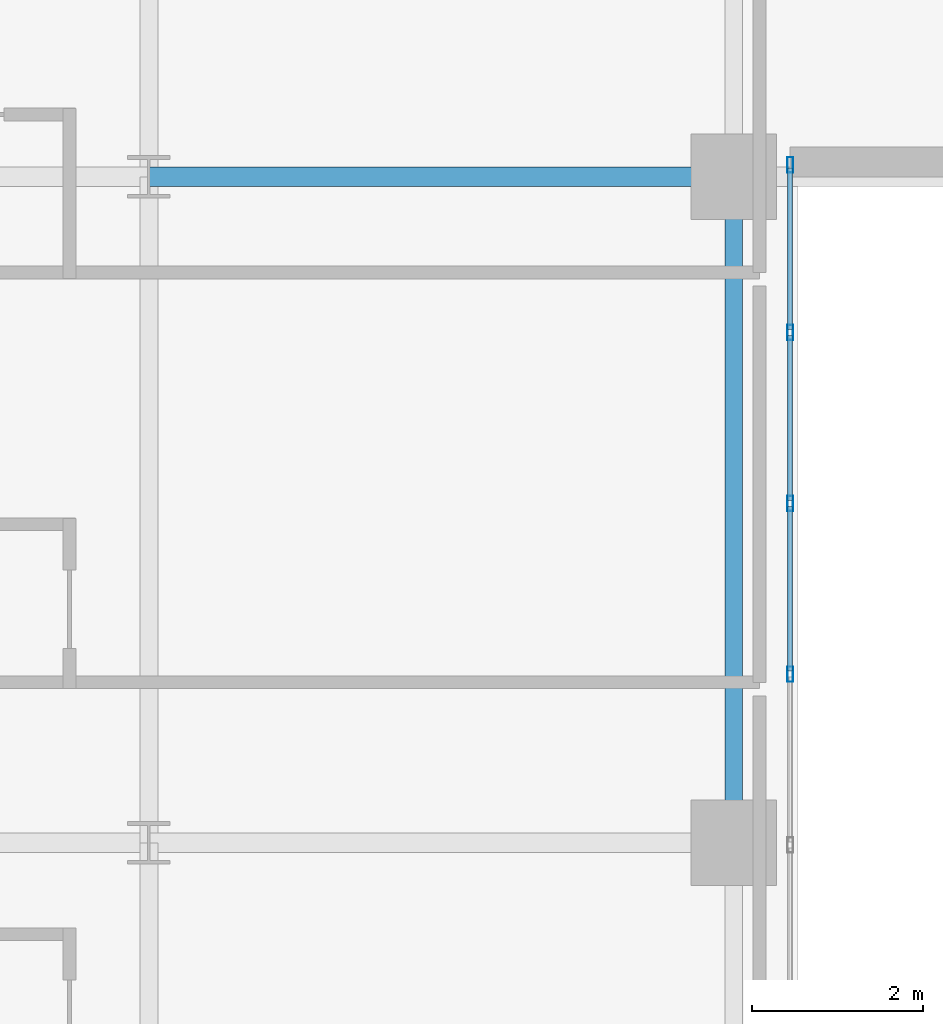
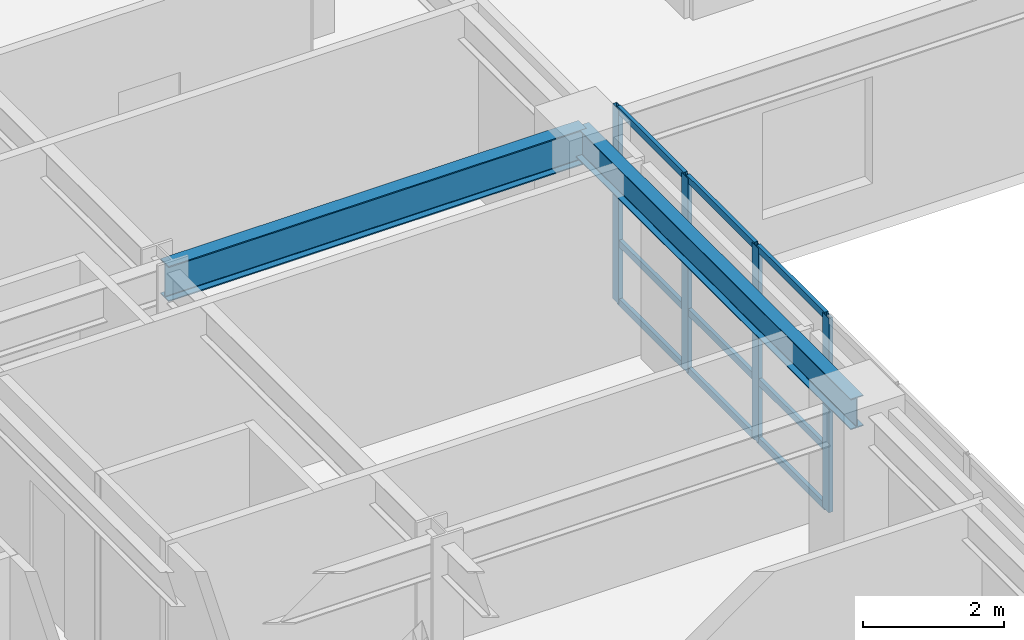
# One storey, part 3 of 17: 13 members, 2 beams, 1 element without a shape of its own.
"""IFC4 building model written with IfcOpenShell, lengths in metres."""

from ifc_helpers import new_model, si_unit, direction, frame, origin, origin_2d, place, context, subcontext, project, spatial, hollow_rectangle, i_section, extrude, source, transform, mapped, material, layer, layer_set, material_profile, profile_set, type_object, type_shapes, element, aggregate, save


model = new_model("IFC4")

# Units and contexts
model_context = context("Model", 3, precision=1e-05, world=origin(), true_north=direction((0.0, 1.0)))
body_context = subcontext(model_context, "Body", "Model", "MODEL_VIEW")
ifc_project = project(units=[si_unit("LENGTHUNIT", "METRE"), si_unit("AREAUNIT", "SQUARE_METRE"), si_unit("VOLUMEUNIT", "CUBIC_METRE"), si_unit("PLANEANGLEUNIT", "RADIAN"), si_unit("MASSUNIT", "GRAM", prefix="KILO")], contexts=[model_context])

# Site, building, storey
site_placement = place(None, origin())
site = spatial("IfcSite", under=ifc_project, at=site_placement, CompositionType="ELEMENT")
building_placement = place(site_placement, origin())
building = spatial("IfcBuilding", under=site, at=building_placement, Name="Tolvann Quenvar Hotel", CompositionType="ELEMENT")
storey_placement = place(building_placement, frame((0.0, 0.0, 49.75)))
storey = spatial("IfcBuildingStorey", under=building, at=storey_placement, Name="L11", CompositionType="ELEMENT", Elevation=49.75)

# Beams
ifc_material_1 = material(Name="Steel Grade 350", Category="steel")
ifc_material_profile_1 = material_profile(ifc_material_1, i_section(OverallWidth=0.22900390625, OverallDepth=0.612060546875, WebThickness=0.011962890625, FlangeThickness=0.01953125, FilletRadius=0.013916015625, at=origin_2d()), Name="610UB125")
ifc_profile_set_1 = profile_set([ifc_material_profile_1], Name="Steel Grade 350")
beam_type_1 = type_object("IfcBeamType", Name="BM_GIRD_610UB125", PredefinedType="BEAM", material=ifc_profile_set_1)
shared_shape_1 = source(origin(), body_context, "Body", "SweptSolid", [
    extrude(i_section(OverallWidth=0.22900390625, OverallDepth=0.612060546875, WebThickness=0.011962890625, FlangeThickness=0.01953125, FilletRadius=0.013916015625, at=origin_2d()), origin(), (0.0, 0.0, 1.0), 6.85009765625),
])
type_shapes(beam_type_1, [shared_shape_1])
beam_1_placement = place(storey_placement, frame((15.199951171875, 16.0, 3.06396484375), z_axis=(1.0, 0.0, 0.0), x_axis=(0.0, 1.0, 0.0)))
element("IfcBeam", 1, at=beam_1_placement, inside=storey, type_object=beam_type_1, Name="BM-L11-EW-4-D4-E4", PredefinedType="BEAM", context=body_context, shape_type="MappedRepresentation", body=[
    mapped(shared_shape_1, transform((0.0, 0.0, 0.0), x_axis=(1.0, 0.0, 0.0), y_axis=(0.0, 1.0, 0.0), z_axis=(0.0, 0.0, 1.0), scale=1.0)),
])
ifc_material_profile_2 = material_profile(ifc_material_1, i_section(OverallWidth=0.208984375, OverallDepth=0.532958984375, WebThickness=0.01025390625, FlangeThickness=0.015625, FilletRadius=0.013916015625, at=origin_2d()), Name="530UB92")
ifc_profile_set_2 = profile_set([ifc_material_profile_2], Name="Steel Grade 350")
beam_type_2 = type_object("IfcBeamType", Name="BM_GIRD_530UB92", PredefinedType="BEAM", material=ifc_profile_set_2)
shared_shape_2 = source(origin(), body_context, "Body", "SweptSolid", [
    extrude(i_section(OverallWidth=0.208984375, OverallDepth=0.532958984375, WebThickness=0.01025390625, FlangeThickness=0.015625, FilletRadius=0.013916015625, at=origin_2d()), origin(), (0.0, 0.0, 1.0), 7.800048828125),
])
type_shapes(beam_type_2, [shared_shape_2])
beam_2_placement = place(storey_placement, frame((22.050048828125, 8.199951171875, 3.103515625), z_axis=(0.0, 1.0, 0.0), x_axis=(-1.0, 0.0, 0.0)))
element("IfcBeam", 2, at=beam_2_placement, inside=storey, type_object=beam_type_2, Name="BM-L11-NS-E3-E4", PredefinedType="BEAM", context=body_context, shape_type="MappedRepresentation", body=[
    mapped(shared_shape_2, transform((0.0, 0.0, 0.0), x_axis=(1.0, 0.0, 0.0), y_axis=(0.0, 1.0, 0.0), z_axis=(0.0, 0.0, 1.0), scale=1.0)),
])

# Curtain wall, members
ifc_material_2 = material(Name="Thermally broken anodised architectural aluminium 6063-T6 and laminated low-E glass", Category="aluminium")
ifc_layer = layer(ifc_material_2, 0.179931640625)
ifc_layer_set = layer_set([ifc_layer], Name="Thermally broken anodised architectural aluminium 6063-T6 and laminated low-E glass")
curtain_wall_type = type_object("IfcCurtainWallType", Name="CW_SYS_SLOT_03", PredefinedType="USERDEFINED", material=ifc_layer_set)
curtain_wall_placement = place(storey_placement, origin())
curtain_wall = element("IfcCurtainWall", 3, at=curtain_wall_placement, inside=storey, type_object=curtain_wall_type, Name="Curtain Wall CW-SLOT-03 (CWR-L11-E05)", ObjectType="UNITISED CURTAIN WALL", PredefinedType="USERDEFINED")
ifc_material_3 = material(Name="Anodised architectural aluminium 6063-T6 framing", Category="aluminium")
ifc_material_profile_3 = material_profile(ifc_material_3, hollow_rectangle(XDim=0.070068359375, YDim=0.179931640625, WallThickness=0.00390625, at=origin_2d()), Name="180x70x4RHS")
ifc_profile_set_3 = profile_set([ifc_material_profile_3], Name="Anodised architectural aluminium 6063-T6 framing")
member_type_1 = type_object("IfcMemberType", Name="CW_MULL_180x70", PredefinedType="MULLION", material=ifc_profile_set_3)
shared_shape_3 = source(origin(), body_context, "Body", "SweptSolid", [
    extrude(hollow_rectangle(XDim=0.070068359375, YDim=0.179931640625, WallThickness=0.00390625, at=origin_2d()), origin(), (0.0, 0.0, 1.0), 3.3701171875),
])
type_shapes(member_type_1, [shared_shape_3])
member_1_placement = place(storey_placement, frame((22.7099609375, 10.175048828125, 0.0), z_axis=(0.0, 0.0, 1.0), x_axis=(-1.0, 0.0, 0.0)))
member_1 = element("IfcMember", 4, at=member_1_placement, type_object=member_type_1, Name="CW-SLOT-03 mullion 6", PredefinedType="MULLION", context=body_context, shape_type="MappedRepresentation", body=[
    mapped(shared_shape_3, transform((0.0, 0.0, 0.0), x_axis=(1.0, 0.0, 0.0), y_axis=(0.0, 1.0, 0.0), z_axis=(0.0, 0.0, 1.0), scale=1.0)),
])
member_2_placement = place(storey_placement, frame((22.7099609375, 12.175048828125, 0.0), z_axis=(0.0, 0.0, 1.0), x_axis=(-1.0, 0.0, 0.0)))
member_2 = element("IfcMember", 5, at=member_2_placement, type_object=member_type_1, Name="CW-SLOT-03 mullion 7", PredefinedType="MULLION", context=body_context, shape_type="MappedRepresentation", body=[
    mapped(shared_shape_3, transform((0.0, 0.0, 0.0), x_axis=(1.0, 0.0, 0.0), y_axis=(0.0, 1.0, 0.0), z_axis=(0.0, 0.0, 1.0), scale=1.0)),
])
member_3_placement = place(storey_placement, frame((22.7099609375, 14.175048828125, 0.0), z_axis=(0.0, 0.0, 1.0), x_axis=(-1.0, 0.0, 0.0)))
member_3 = element("IfcMember", 6, at=member_3_placement, type_object=member_type_1, Name="CW-SLOT-03 mullion 8", PredefinedType="MULLION", context=body_context, shape_type="MappedRepresentation", body=[
    mapped(shared_shape_3, transform((0.0, 0.0, 0.0), x_axis=(1.0, 0.0, 0.0), y_axis=(0.0, 1.0, 0.0), z_axis=(0.0, 0.0, 1.0), scale=1.0)),
])
member_4_placement = place(storey_placement, frame((22.7099609375, 16.139892578125, 0.0), z_axis=(0.0, 0.0, 1.0), x_axis=(-1.0, 0.0, 0.0)))
member_4 = element("IfcMember", 7, at=member_4_placement, type_object=member_type_1, Name="CW-SLOT-03 mullion 9", PredefinedType="MULLION", context=body_context, shape_type="MappedRepresentation", body=[
    mapped(shared_shape_3, transform((0.0, 0.0, 0.0), x_axis=(1.0, 0.0, 0.0), y_axis=(0.0, 1.0, 0.0), z_axis=(0.0, 0.0, 1.0), scale=1.0)),
])
ifc_material_profile_4 = material_profile(ifc_material_3, hollow_rectangle(XDim=0.06005859375, YDim=0.1201171875, WallThickness=0.00341796875, at=origin_2d()), Name="120x60x3.5RHS")
ifc_profile_set_4 = profile_set([ifc_material_profile_4], Name="Anodised architectural aluminium 6063-T6 framing")
member_type_2 = type_object("IfcMemberType", Name="CW_TRAN_120x60", PredefinedType="USERDEFINED", material=ifc_profile_set_4)
shared_shape_4 = source(origin(), body_context, "Body", "SweptSolid", [
    extrude(hollow_rectangle(XDim=0.06005859375, YDim=0.1201171875, WallThickness=0.00341796875, at=origin_2d()), origin(), (0.0, 0.0, 1.0), 1.929931640625),
])
member_5_placement = place(storey_placement, frame((22.7099609375, 10.2099609375, 0.030029296875), z_axis=(0.0, 1.0, 0.0), x_axis=(-1.0, 0.0, 0.0)))
member_5 = element("IfcMember", 8, at=member_5_placement, type_object=member_type_2, Name="CW-SLOT-03 transom 6.1", ObjectType="TRANSOM", PredefinedType="USERDEFINED", context=body_context, shape_type="MappedRepresentation", body=[
    mapped(shared_shape_4, transform((0.0, 0.0, 0.0), x_axis=(1.0, 0.0, 0.0), y_axis=(0.0, 1.0, 0.0), z_axis=(0.0, 0.0, 1.0), scale=1.0)),
])
member_6_placement = place(storey_placement, frame((22.7099609375, 10.2099609375, 1.050048828125), z_axis=(0.0, 1.0, 0.0), x_axis=(-1.0, 0.0, 0.0)))
member_6 = element("IfcMember", 9, at=member_6_placement, type_object=member_type_2, Name="CW-SLOT-03 transom 6.2", ObjectType="TRANSOM", PredefinedType="USERDEFINED", context=body_context, shape_type="MappedRepresentation", body=[
    mapped(shared_shape_4, transform((0.0, 0.0, 0.0), x_axis=(1.0, 0.0, 0.0), y_axis=(0.0, 1.0, 0.0), z_axis=(0.0, 0.0, 1.0), scale=1.0)),
])
member_7_placement = place(storey_placement, frame((22.7099609375, 10.2099609375, 3.340087890625), z_axis=(0.0, 1.0, 0.0), x_axis=(-1.0, 0.0, 0.0)))
member_7 = element("IfcMember", 10, at=member_7_placement, type_object=member_type_2, Name="CW-SLOT-03 transom 6.3", ObjectType="TRANSOM", PredefinedType="USERDEFINED", context=body_context, shape_type="MappedRepresentation", body=[
    mapped(shared_shape_4, transform((0.0, 0.0, 0.0), x_axis=(1.0, 0.0, 0.0), y_axis=(0.0, 1.0, 0.0), z_axis=(0.0, 0.0, 1.0), scale=1.0)),
])
member_8_placement = place(storey_placement, frame((22.7099609375, 12.2099609375, 0.030029296875), z_axis=(0.0, 1.0, 0.0), x_axis=(-1.0, 0.0, 0.0)))
member_8 = element("IfcMember", 11, at=member_8_placement, type_object=member_type_2, Name="CW-SLOT-03 transom 7.1", ObjectType="TRANSOM", PredefinedType="USERDEFINED", context=body_context, shape_type="MappedRepresentation", body=[
    mapped(shared_shape_4, transform((0.0, 0.0, 0.0), x_axis=(1.0, 0.0, 0.0), y_axis=(0.0, 1.0, 0.0), z_axis=(0.0, 0.0, 1.0), scale=1.0)),
])
member_9_placement = place(storey_placement, frame((22.7099609375, 12.2099609375, 1.050048828125), z_axis=(0.0, 1.0, 0.0), x_axis=(-1.0, 0.0, 0.0)))
member_9 = element("IfcMember", 12, at=member_9_placement, type_object=member_type_2, Name="CW-SLOT-03 transom 7.2", ObjectType="TRANSOM", PredefinedType="USERDEFINED", context=body_context, shape_type="MappedRepresentation", body=[
    mapped(shared_shape_4, transform((0.0, 0.0, 0.0), x_axis=(1.0, 0.0, 0.0), y_axis=(0.0, 1.0, 0.0), z_axis=(0.0, 0.0, 1.0), scale=1.0)),
])
member_10_placement = place(storey_placement, frame((22.7099609375, 12.2099609375, 3.340087890625), z_axis=(0.0, 1.0, 0.0), x_axis=(-1.0, 0.0, 0.0)))
member_10 = element("IfcMember", 13, at=member_10_placement, type_object=member_type_2, Name="CW-SLOT-03 transom 7.3", ObjectType="TRANSOM", PredefinedType="USERDEFINED", context=body_context, shape_type="MappedRepresentation", body=[
    mapped(shared_shape_4, transform((0.0, 0.0, 0.0), x_axis=(1.0, 0.0, 0.0), y_axis=(0.0, 1.0, 0.0), z_axis=(0.0, 0.0, 1.0), scale=1.0)),
])
shared_shape_5 = source(origin(), body_context, "Body", "SweptSolid", [
    extrude(hollow_rectangle(XDim=0.06005859375, YDim=0.1201171875, WallThickness=0.00341796875, at=origin_2d()), origin(), (0.0, 0.0, 1.0), 1.89501953125),
])
type_shapes(member_type_2, [shared_shape_4, shared_shape_5])
member_11_placement = place(storey_placement, frame((22.7099609375, 14.2099609375, 0.030029296875), z_axis=(0.0, 1.0, 0.0), x_axis=(-1.0, 0.0, 0.0)))
member_11 = element("IfcMember", 14, at=member_11_placement, type_object=member_type_2, Name="CW-SLOT-03 transom 8.1", ObjectType="TRANSOM", PredefinedType="USERDEFINED", context=body_context, shape_type="MappedRepresentation", body=[
    mapped(shared_shape_5, transform((0.0, 0.0, 0.0), x_axis=(1.0, 0.0, 0.0), y_axis=(0.0, 1.0, 0.0), z_axis=(0.0, 0.0, 1.0), scale=1.0)),
])
member_12_placement = place(storey_placement, frame((22.7099609375, 14.2099609375, 1.050048828125), z_axis=(0.0, 1.0, 0.0), x_axis=(-1.0, 0.0, 0.0)))
member_12 = element("IfcMember", 15, at=member_12_placement, type_object=member_type_2, Name="CW-SLOT-03 transom 8.2", ObjectType="TRANSOM", PredefinedType="USERDEFINED", context=body_context, shape_type="MappedRepresentation", body=[
    mapped(shared_shape_5, transform((0.0, 0.0, 0.0), x_axis=(1.0, 0.0, 0.0), y_axis=(0.0, 1.0, 0.0), z_axis=(0.0, 0.0, 1.0), scale=1.0)),
])
member_13_placement = place(storey_placement, frame((22.7099609375, 14.2099609375, 3.340087890625), z_axis=(0.0, 1.0, 0.0), x_axis=(-1.0, 0.0, 0.0)))
member_13 = element("IfcMember", 16, at=member_13_placement, type_object=member_type_2, Name="CW-SLOT-03 transom 8.3", ObjectType="TRANSOM", PredefinedType="USERDEFINED", context=body_context, shape_type="MappedRepresentation", body=[
    mapped(shared_shape_5, transform((0.0, 0.0, 0.0), x_axis=(1.0, 0.0, 0.0), y_axis=(0.0, 1.0, 0.0), z_axis=(0.0, 0.0, 1.0), scale=1.0)),
])
aggregate(curtain_wall, [member_1, member_2, member_3, member_4, member_5, member_6, member_7, member_8, member_9, member_10, member_11, member_12, member_13])

save(model, "model.ifc")
